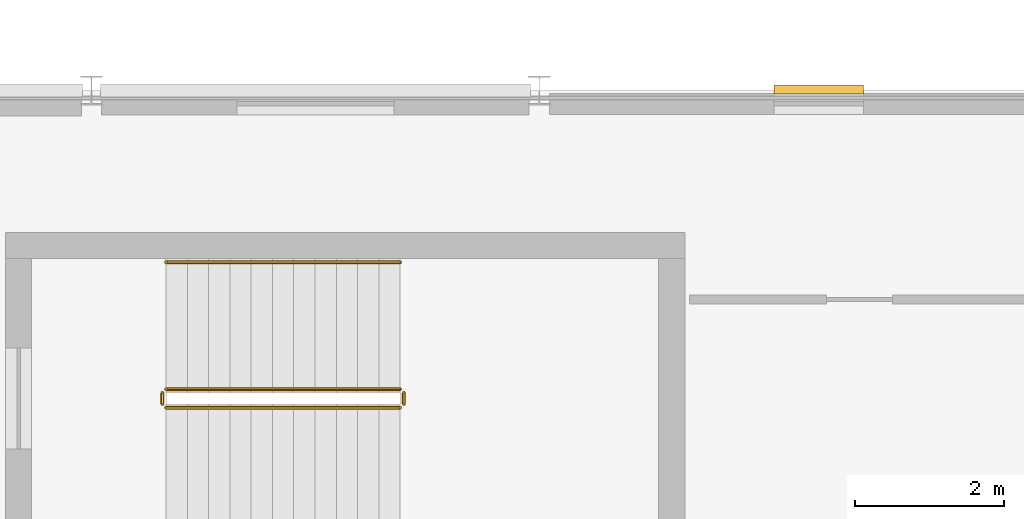
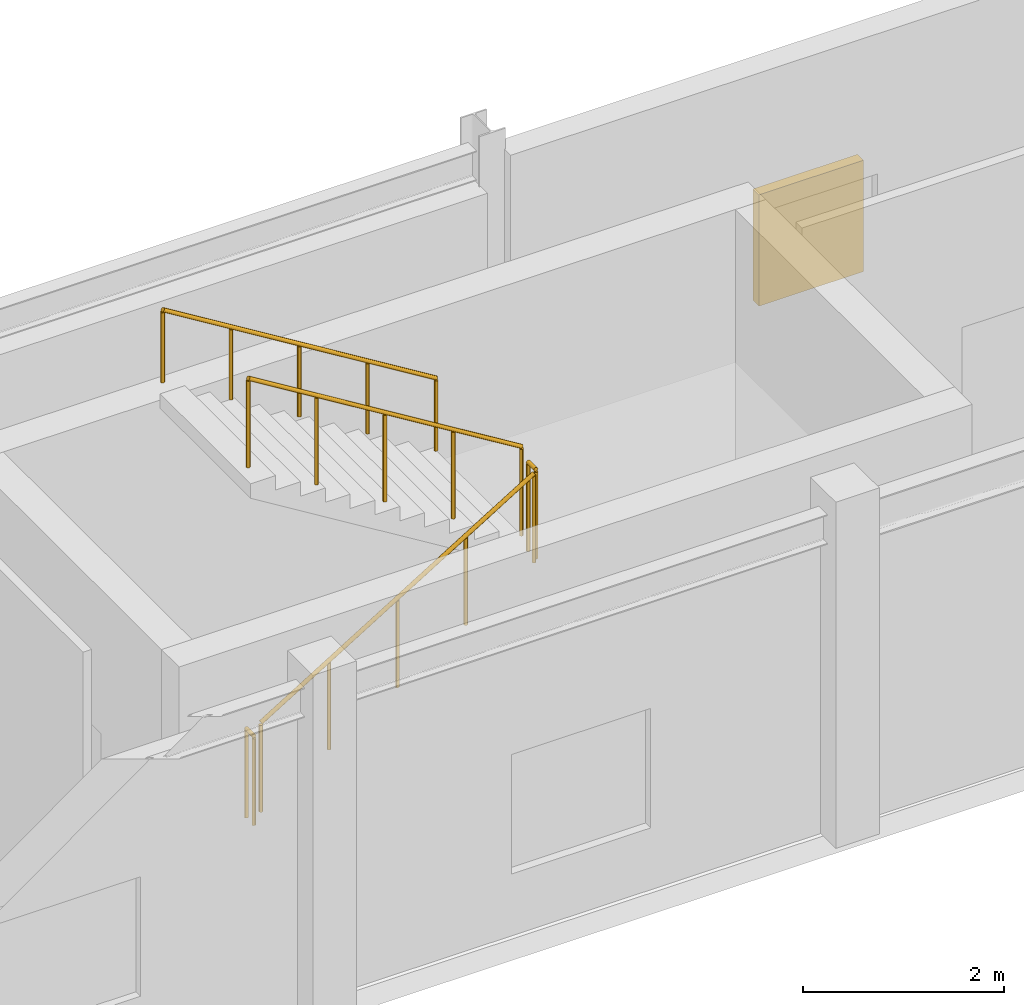
# One storey, part 59 of 60: 5 railings, 1 shading device.
"""IFC4 building model written with IfcOpenShell, lengths in metres."""

from ifc_helpers import new_model, si_unit, direction, frame, origin, origin_2d, place, context, subcontext, project, spatial, rectangle, circle, extrude, material, layer, layer_set, type_object, element, save


model = new_model("IFC4")

# Units and contexts
model_context = context("Model", 3, precision=1e-05, world=origin(), true_north=direction((0.0, 1.0)))
body_context = subcontext(model_context, "Body", "Model", "MODEL_VIEW")
ifc_project = project(units=[si_unit("LENGTHUNIT", "METRE"), si_unit("AREAUNIT", "SQUARE_METRE"), si_unit("VOLUMEUNIT", "CUBIC_METRE"), si_unit("PLANEANGLEUNIT", "RADIAN"), si_unit("MASSUNIT", "GRAM", prefix="KILO")], contexts=[model_context])

# Site, building, storey
site_placement = place(None, origin())
site = spatial("IfcSite", under=ifc_project, at=site_placement, CompositionType="ELEMENT")
building_placement = place(site_placement, origin())
building = spatial("IfcBuilding", under=site, at=building_placement, Name="Brisavento Harbour Community Centre", CompositionType="ELEMENT")
storey_placement = place(building_placement, frame((0.0, 0.0, 4.5)))
storey = spatial("IfcBuildingStorey", under=building, at=storey_placement, Name="L01", CompositionType="ELEMENT", Elevation=4.5)

# Railings
ifc_material_1 = material(Name="Stainless steel 1.4401", Category="steel")
railing_type_1 = type_object("IfcRailingType", Name="RL-ST-GUARD", PredefinedType="GUARDRAIL", material=ifc_material_1)
railing_1_placement = place(storey_placement, frame((160.60009765625, 82.14990234375, 0.175048828125)))
element("IfcRailing", 1, at=railing_1_placement, inside=storey, type_object=railing_type_1, Name="L01 ST-06 stair guard 1", PredefinedType="GUARDRAIL", context=body_context, shape_type="SweptSolid", body=[
    extrude(circle(Radius=0.02392578125, at=origin_2d()), frame((0.0, 0.0, 1.076171875), z_axis=(0.852166034122, 0.0, 0.523271488128), x_axis=(0.0, 1.0, 0.0)), (0.0, 0.0, 1.0), 3.678955078125),
    extrude(circle(Radius=0.02099609375, at=origin_2d()), origin(), (0.0, 0.0, 1.0), 1.052001953125),
    extrude(circle(Radius=0.02099609375, at=origin_2d()), frame((0.78369140625, 0.0, 0.481201171875)), (0.0, 0.0, 1.0), 1.052001953125),
    extrude(circle(Radius=0.02099609375, at=origin_2d()), frame((1.5673828125, 0.0, 0.96240234375)), (0.0, 0.0, 1.0), 1.052001953125),
    extrude(circle(Radius=0.02099609375, at=origin_2d()), frame((2.351318359375, 0.0, 1.44384765625)), (0.0, 0.0, 1.0), 1.052001953125),
    extrude(circle(Radius=0.02099609375, at=origin_2d()), frame((3.135009765625, 0.0, 1.925048828125)), (0.0, 0.0, 1.0), 1.052001953125),
])
railing_2_placement = place(storey_placement, frame((163.784912109375, 82.199951171875, 2.10009765625)))
element("IfcRailing", 2, at=railing_2_placement, inside=storey, type_object=railing_type_1, Name="L01 ST-06 stair guard 2", PredefinedType="GUARDRAIL", context=body_context, shape_type="SweptSolid", body=[
    extrude(circle(Radius=0.02392578125, at=origin_2d()), frame((0.0, 0.0, 1.076171875), z_axis=(0.0, 1.0, 0.0), x_axis=(-1.0, 0.0, 0.0)), (0.0, 0.0, 1.0), 0.150146484375),
    extrude(circle(Radius=0.02099609375, at=origin_2d()), origin(), (0.0, 0.0, 1.0), 1.052001953125),
    extrude(circle(Radius=0.02099609375, at=origin_2d()), frame((0.0, 0.150146484375, 0.0)), (0.0, 0.0, 1.0), 1.052001953125),
])
railing_3_placement = place(storey_placement, frame((163.735107421875, 82.39990234375, 2.27490234375)))
element("IfcRailing", 3, at=railing_3_placement, inside=storey, type_object=railing_type_1, Name="L01 ST-06 stair guard 3", PredefinedType="GUARDRAIL", context=body_context, shape_type="SweptSolid", body=[
    extrude(circle(Radius=0.02392578125, at=origin_2d()), frame((0.0, 0.0, 1.076171875), z_axis=(-0.852166034122, 0.0, 0.523271488128), x_axis=(0.0, -1.0, 0.0)), (0.0, 0.0, 1.0), 3.678955078125),
    extrude(circle(Radius=0.02099609375, at=origin_2d()), origin(), (0.0, 0.0, 1.0), 1.052001953125),
    extrude(circle(Radius=0.02099609375, at=origin_2d()), frame((-0.78369140625, 0.0, 0.481201171875)), (0.0, 0.0, 1.0), 1.052001953125),
    extrude(circle(Radius=0.02099609375, at=origin_2d()), frame((-1.5673828125, 0.0, 0.96240234375)), (0.0, 0.0, 1.0), 1.052001953125),
    extrude(circle(Radius=0.02099609375, at=origin_2d()), frame((-2.351318359375, 0.0, 1.44384765625)), (0.0, 0.0, 1.0), 1.052001953125),
    extrude(circle(Radius=0.02099609375, at=origin_2d()), frame((-3.135009765625, 0.0, 1.925048828125)), (0.0, 0.0, 1.0), 1.052001953125),
])
railing_4_placement = place(storey_placement, frame((160.550048828125, 82.199951171875, 0.0)))
element("IfcRailing", 4, at=railing_4_placement, inside=storey, type_object=railing_type_1, Name="L01 ST-06 stair guard 4", PredefinedType="GUARDRAIL", context=body_context, shape_type="SweptSolid", body=[
    extrude(circle(Radius=0.02392578125, at=origin_2d()), frame((0.0, 0.0, 1.076171875), z_axis=(0.0, 1.0, 0.0), x_axis=(-1.0, 0.0, 0.0)), (0.0, 0.0, 1.0), 0.150146484375),
    extrude(circle(Radius=0.02099609375, at=origin_2d()), origin(), (0.0, 0.0, 1.0), 1.052001953125),
    extrude(circle(Radius=0.02099609375, at=origin_2d()), frame((0.0, 0.150146484375, 0.0)), (0.0, 0.0, 1.0), 1.052001953125),
])
railing_type_2 = type_object("IfcRailingType", Name="RL-ST-HAND", PredefinedType="HANDRAIL", material=ifc_material_1)
railing_5_placement = place(storey_placement, frame((163.735107421875, 84.10009765625, 2.27490234375)))
element("IfcRailing", 5, at=railing_5_placement, inside=storey, type_object=railing_type_2, Name="L01 ST-06 stair handrail 2", PredefinedType="HANDRAIL", context=body_context, shape_type="SweptSolid", body=[
    extrude(circle(Radius=0.02392578125, at=origin_2d()), frame((0.0, 0.0, 0.8759765625), z_axis=(-0.852166034122, 0.0, 0.523271488128), x_axis=(0.0, -1.0, 0.0)), (0.0, 0.0, 1.0), 3.678955078125),
    extrude(circle(Radius=0.02099609375, at=origin_2d()), origin(), (0.0, 0.0, 1.0), 0.851806640625),
    extrude(circle(Radius=0.02099609375, at=origin_2d()), frame((-0.78369140625, 0.0, 0.481201171875)), (0.0, 0.0, 1.0), 0.851806640625),
    extrude(circle(Radius=0.02099609375, at=origin_2d()), frame((-1.5673828125, 0.0, 0.96240234375)), (0.0, 0.0, 1.0), 0.851806640625),
    extrude(circle(Radius=0.02099609375, at=origin_2d()), frame((-2.351318359375, 0.0, 1.44384765625)), (0.0, 0.0, 1.0), 0.851806640625),
    extrude(circle(Radius=0.02099609375, at=origin_2d()), frame((-3.135009765625, 0.0, 1.925048828125)), (0.0, 0.0, 1.0), 0.851806640625),
])

# Shading device
ifc_material_2 = material(Name="Marine-anodised aluminium AW-6063-T6", Category="aluminium")
ifc_layer = layer(ifc_material_2, 0.1201171875, Name="Marine-anodised aluminium AW-6063-T6")
ifc_layer_set = layer_set([ifc_layer], Name="Marine-anodised aluminium AW-6063-T6")
shading_device_type = type_object("IfcShadingDeviceType", Name="SHD-LOUVRE", PredefinedType="JALOUSIE", material=ifc_layer_set)
shading_device_placement = place(storey_placement, frame((169.342529296875, 86.4150390625, 0.89990234375), z_axis=(0.0, 0.0, 1.0), x_axis=(1.0, 0.0, 0.0)))
element("IfcShadingDevice", 6, at=shading_device_placement, inside=storey, type_object=shading_device_type, Name="L01 hurricane storm louvre 20", PredefinedType="JALOUSIE", context=body_context, shape_type="SweptSolid", body=[
    extrude(rectangle(XDim=1.199951171875, YDim=0.1201171875, at=origin_2d()), origin(), (0.0, 0.0, 1.0), 1.35009765625),
])

save(model, "model.ifc")
